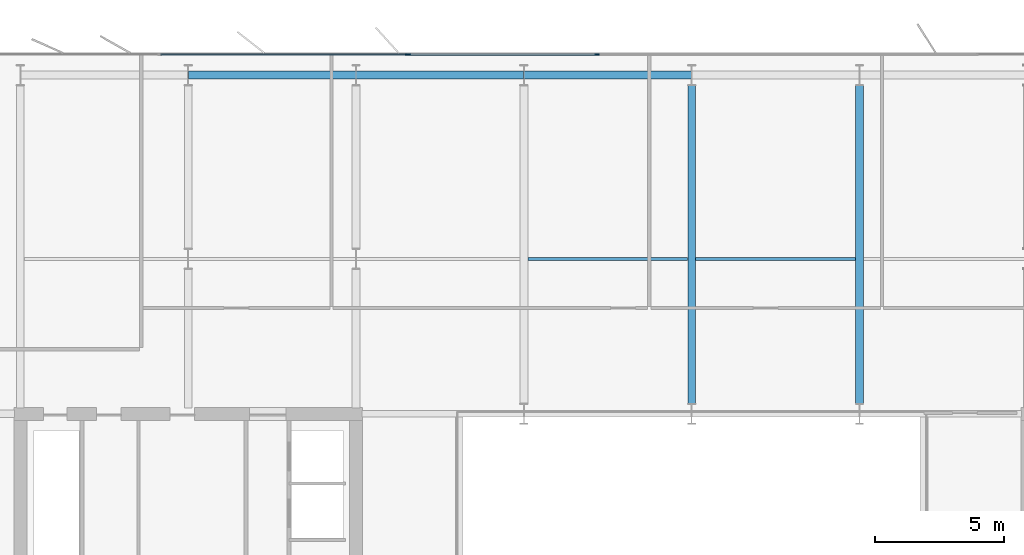
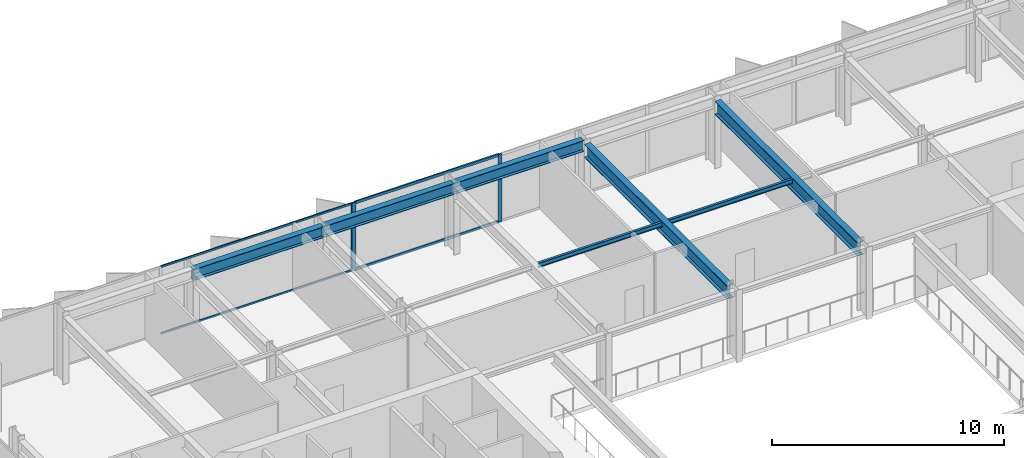
# One storey, part 11 of 24: 7 beams, 7 members, 2 elements without a shape of their own.
"""IFC4 building model written with IfcOpenShell, lengths in metres."""

from ifc_helpers import new_model, si_unit, direction, frame, origin, origin_2d, place, context, subcontext, project, spatial, rectangle, i_section, extrude, material, layer, layer_set, material_profile, profile_set, type_object, element, aggregate, save


model = new_model("IFC4")

# Units and contexts
model_context = context("Model", 3, precision=1e-05, world=origin(), true_north=direction((0.0, 1.0)))
body_context = subcontext(model_context, "Body", "Model", "MODEL_VIEW")
ifc_project = project(units=[si_unit("LENGTHUNIT", "METRE"), si_unit("AREAUNIT", "SQUARE_METRE"), si_unit("VOLUMEUNIT", "CUBIC_METRE"), si_unit("PLANEANGLEUNIT", "RADIAN"), si_unit("MASSUNIT", "GRAM", prefix="KILO")], contexts=[model_context])

# Site, building, storey
site_placement = place(None, origin())
site = spatial("IfcSite", under=ifc_project, at=site_placement, CompositionType="ELEMENT")
building_placement = place(site_placement, origin())
building = spatial("IfcBuilding", under=site, at=building_placement, Name="Putna Gate Headquarters", CompositionType="ELEMENT")
storey_placement = place(building_placement, frame((0.0, 0.0, 244.199951171875)))
storey = spatial("IfcBuildingStorey", under=building, at=storey_placement, Name="L61", CompositionType="ELEMENT", Elevation=244.199951171875)

# Beams
ifc_material_1 = material(Name="Steel S355J2", Category="steel")
ifc_material_profile_1 = material_profile(ifc_material_1, i_section(OverallWidth=0.300048828125, OverallDepth=0.699951171875, WebThickness=0.01708984375, FlangeThickness=0.031982421875, at=origin_2d()), Name="Steel S355J2")
ifc_profile_set_1 = profile_set([ifc_material_profile_1], Name="Steel S355J2")
beam_type_1 = type_object("IfcBeamType", Name="BM-GIRD-B-HEB700", PredefinedType="USERDEFINED", material=ifc_profile_set_1)
for number, where, z_axis, x_axis, name in (
    (1, (39.0, 33.39501953125, 3.22998046875), (0.0, 1.0, 0.0), (-1.0, 0.0, 0.0), "L61 North Primary Girder X39"),
    (2, (45.5, 33.39501953125, 3.22998046875), (0.0, 1.0, 0.0), (-1.0, 0.0, 0.0), "L61 North Primary Girder X45"),
):
    element("IfcBeam", number, at=place(storey_placement, frame(where, z_axis=z_axis, x_axis=x_axis)), inside=storey, type_object=beam_type_1, Name=name, ObjectType="GIRDER", PredefinedType="USERDEFINED", context=body_context, shape_type="SweptSolid", body=[
        extrude(i_section(OverallWidth=0.300048828125, OverallDepth=0.699951171875, WebThickness=0.01708984375, FlangeThickness=0.031982421875, at=origin_2d()), origin(), (0.0, 0.0, 1.0), 12.330078125),
    ])
ifc_material_profile_2 = material_profile(ifc_material_1, i_section(OverallWidth=0.1201171875, OverallDepth=0.239990234375, WebThickness=0.006103515625, FlangeThickness=0.009765625, at=origin_2d()), Name="Steel S355J2")
ifc_profile_set_2 = profile_set([ifc_material_profile_2], Name="Steel S355J2")
beam_type_2 = type_object("IfcBeamType", Name="BM-SEC-Z4-IPE240", PredefinedType="JOIST", material=ifc_profile_set_2)
for number, where, z_axis, x_axis, name in (
    (3, (32.654052734375, 39.0, 3.4599609375), (1.0, 0.0, 0.0), (0.0, 1.0, 0.0), "L61 North Secondary Beam 4"),
    (4, (39.154052734375, 39.0, 3.4599609375), (1.0, 0.0, 0.0), (0.0, 1.0, 0.0), "L61 North Secondary Beam 5"),
):
    element("IfcBeam", number, at=place(storey_placement, frame(where, z_axis=z_axis, x_axis=x_axis)), inside=storey, type_object=beam_type_2, Name=name, PredefinedType="JOIST", context=body_context, shape_type="SweptSolid", body=[
        extrude(i_section(OverallWidth=0.1201171875, OverallDepth=0.239990234375, WebThickness=0.006103515625, FlangeThickness=0.009765625, at=origin_2d()), origin(), (0.0, 0.0, 1.0), 6.19189453125),
    ])
ifc_material_profile_3 = material_profile(ifc_material_1, i_section(OverallWidth=0.300048828125, OverallDepth=0.590087890625, WebThickness=0.012939453125, FlangeThickness=0.02490234375, at=origin_2d()), Name="Steel S355J2")
ifc_profile_set_3 = profile_set([ifc_material_profile_3], Name="Steel S355J2")
beam_type_3 = type_object("IfcBeamType", Name="BM-SPAN-Z4-HEA600", PredefinedType="SPANDREL", material=ifc_profile_set_3)
for number, where, z_axis, x_axis, name in (
    (5, (19.506103515625, 46.1201171875, 3.28515625), (1.0, 0.0, 0.0), (0.0, 1.0, 0.0), "L61 N Perimeter Spandrel 2"),
    (6, (26.006103515625, 46.1201171875, 3.28515625), (1.0, 0.0, 0.0), (0.0, 1.0, 0.0), "L61 N Perimeter Spandrel 3"),
    (7, (32.506103515625, 46.1201171875, 3.28515625), (1.0, 0.0, 0.0), (0.0, 1.0, 0.0), "L61 N Perimeter Spandrel 4"),
):
    element("IfcBeam", number, at=place(storey_placement, frame(where, z_axis=z_axis, x_axis=x_axis)), inside=storey, type_object=beam_type_3, Name=name, PredefinedType="SPANDREL", context=body_context, shape_type="SweptSolid", body=[
        extrude(i_section(OverallWidth=0.300048828125, OverallDepth=0.590087890625, WebThickness=0.012939453125, FlangeThickness=0.02490234375, at=origin_2d()), origin(), (0.0, 0.0, 1.0), 6.48779296875),
    ])

# Curtain wall, member
ifc_material_2 = material(Name="Anodised bronze aluminium curtain wall", Category="aluminium")
ifc_layer_1 = layer(ifc_material_2, 0.139892578125)
ifc_layer_set_1 = layer_set([ifc_layer_1], Name="Anodised bronze aluminium curtain wall")
curtain_wall_type_1 = type_object("IfcCurtainWallType", Name="CW-SYS-Z4", PredefinedType="USERDEFINED", material=ifc_layer_set_1)
curtain_wall_1_placement = place(storey_placement, origin())
curtain_wall_1 = element("IfcCurtainWall", 8, at=curtain_wall_1_placement, inside=storey, type_object=curtain_wall_type_1, Name="L61 North West Curtain Wall", ObjectType="STICK CURTAIN WALL", PredefinedType="USERDEFINED")
ifc_material_3 = material(Name="Anodised bronze aluminium EN AW-6060", Category="aluminium")
ifc_material_profile_4 = material_profile(ifc_material_3, rectangle(XDim=0.06005859375, YDim=0.139892578125, at=origin_2d()), Name="Anodised bronze aluminium EN AW-6060")
ifc_profile_set_4 = profile_set([ifc_material_profile_4], Name="Anodised bronze aluminium EN AW-6060")
member_type_1 = type_object("IfcMemberType", Name="MULL-CWM-4", PredefinedType="MULLION", material=ifc_profile_set_4)
member_1_placement = place(storey_placement, frame((27.969970703125, 46.919921875, 0.0), z_axis=(0.0, 0.0, 1.0), x_axis=(0.0, 1.0, 0.0)))
member_1 = element("IfcMember", 9, at=member_1_placement, type_object=member_type_1, Name="CWS-4 mullion 3", PredefinedType="MULLION", context=body_context, shape_type="SweptSolid", body=[
    extrude(rectangle(XDim=0.06005859375, YDim=0.139892578125, at=origin_2d()), origin(), (0.0, 0.0, 1.0), 3.580078125),
])

# Curtain wall, members
ifc_layer_2 = layer(ifc_material_2, 0.179931640625)
ifc_layer_set_2 = layer_set([ifc_layer_2], Name="Anodised bronze aluminium curtain wall")
curtain_wall_type_2 = type_object("IfcCurtainWallType", Name="CW-SYS-ATR", PredefinedType="USERDEFINED", material=ifc_layer_set_2)
curtain_wall_2_placement = place(storey_placement, origin())
curtain_wall_2 = element("IfcCurtainWall", 10, at=curtain_wall_2_placement, inside=storey, type_object=curtain_wall_type_2, Name="L61 North Atrium Clear Glazing", ObjectType="ATRIUM GLAZING", PredefinedType="USERDEFINED")
ifc_material_profile_5 = material_profile(ifc_material_3, rectangle(XDim=0.070068359375, YDim=0.179931640625, at=origin_2d()), Name="Anodised bronze aluminium EN AW-6060")
ifc_profile_set_5 = profile_set([ifc_material_profile_5], Name="Anodised bronze aluminium EN AW-6060")
member_type_2 = type_object("IfcMemberType", Name="MULL-CWM-AT", PredefinedType="MULLION", material=ifc_profile_set_5)
member_2_placement = place(storey_placement, frame((28.034912109375, 46.919921875, 0.0), z_axis=(0.0, 0.0, 1.0), x_axis=(0.0, 1.0, 0.0)))
member_2 = element("IfcMember", 11, at=member_2_placement, type_object=member_type_2, Name="CWS-AT mullion 1", PredefinedType="MULLION", context=body_context, shape_type="SweptSolid", body=[
    extrude(rectangle(XDim=0.070068359375, YDim=0.179931640625, at=origin_2d()), origin(), (0.0, 0.0, 1.0), 3.580078125),
])
member_3_placement = place(storey_placement, frame((35.333251953125, 46.919921875, 0.0), z_axis=(0.0, 0.0, 1.0), x_axis=(0.0, 1.0, 0.0)))
member_3 = element("IfcMember", 12, at=member_3_placement, type_object=member_type_2, Name="CWS-AT mullion 2", PredefinedType="MULLION", context=body_context, shape_type="SweptSolid", body=[
    extrude(rectangle(XDim=0.070068359375, YDim=0.179931640625, at=origin_2d()), origin(), (0.0, 0.0, 1.0), 3.580078125),
])

# Member
ifc_material_profile_6 = material_profile(ifc_material_3, rectangle(XDim=0.06005859375, YDim=0.10009765625, at=origin_2d()), Name="Anodised bronze aluminium EN AW-6060")
ifc_profile_set_6 = profile_set([ifc_material_profile_6], Name="Anodised bronze aluminium EN AW-6060")
member_type_3 = type_object("IfcMemberType", Name="TRAN-CWT-4", PredefinedType="USERDEFINED", material=ifc_profile_set_6)
member_4_placement = place(storey_placement, frame((18.429931640625, 46.919921875, 0.030029296875), z_axis=(1.0, 0.0, 0.0), x_axis=(0.0, 1.0, 0.0)))
member_4 = element("IfcMember", 13, at=member_4_placement, type_object=member_type_3, Name="CWS-4 transom 2.1", ObjectType="TRANSOM", PredefinedType="USERDEFINED", context=body_context, shape_type="SweptSolid", body=[
    extrude(rectangle(XDim=0.06005859375, YDim=0.10009765625, at=origin_2d()), origin(), (0.0, 0.0, 1.0), 9.510009765625),
])

member_5_placement = place(storey_placement, frame((18.429931640625, 46.919921875, 3.550048828125), z_axis=(1.0, 0.0, 0.0), x_axis=(0.0, 1.0, 0.0)))
member_5 = element("IfcMember", 14, at=member_5_placement, type_object=member_type_3, Name="CWS-4 transom 2.2", ObjectType="TRANSOM", PredefinedType="USERDEFINED", context=body_context, shape_type="SweptSolid", body=[
    extrude(rectangle(XDim=0.06005859375, YDim=0.10009765625, at=origin_2d()), origin(), (0.0, 0.0, 1.0), 9.510009765625),
])

aggregate(curtain_wall_1, [member_1, member_4, member_5])

ifc_material_profile_7 = material_profile(ifc_material_3, rectangle(XDim=0.070068359375, YDim=0.139892578125, at=origin_2d()), Name="Anodised bronze aluminium EN AW-6060")
ifc_profile_set_7 = profile_set([ifc_material_profile_7], Name="Anodised bronze aluminium EN AW-6060")
member_type_4 = type_object("IfcMemberType", Name="TRAN-CWT-AT", PredefinedType="USERDEFINED", material=ifc_profile_set_7)
member_6_placement = place(storey_placement, frame((28.070068359375, 46.919921875, 0.03515625), z_axis=(1.0, 0.0, 0.0), x_axis=(0.0, 1.0, 0.0)))
member_6 = element("IfcMember", 15, at=member_6_placement, type_object=member_type_4, Name="CWS-AT transom 1.1", ObjectType="TRANSOM", PredefinedType="USERDEFINED", context=body_context, shape_type="SweptSolid", body=[
    extrude(rectangle(XDim=0.070068359375, YDim=0.139892578125, at=origin_2d()), origin(), (0.0, 0.0, 1.0), 7.228271484375),
])

member_7_placement = place(storey_placement, frame((28.070068359375, 46.919921875, 3.545166015625), z_axis=(1.0, 0.0, 0.0), x_axis=(0.0, 1.0, 0.0)))
member_7 = element("IfcMember", 16, at=member_7_placement, type_object=member_type_4, Name="CWS-AT transom 1.2", ObjectType="TRANSOM", PredefinedType="USERDEFINED", context=body_context, shape_type="SweptSolid", body=[
    extrude(rectangle(XDim=0.070068359375, YDim=0.139892578125, at=origin_2d()), origin(), (0.0, 0.0, 1.0), 7.228271484375),
])

aggregate(curtain_wall_2, [member_2, member_3, member_6, member_7])

save(model, "model.ifc")
